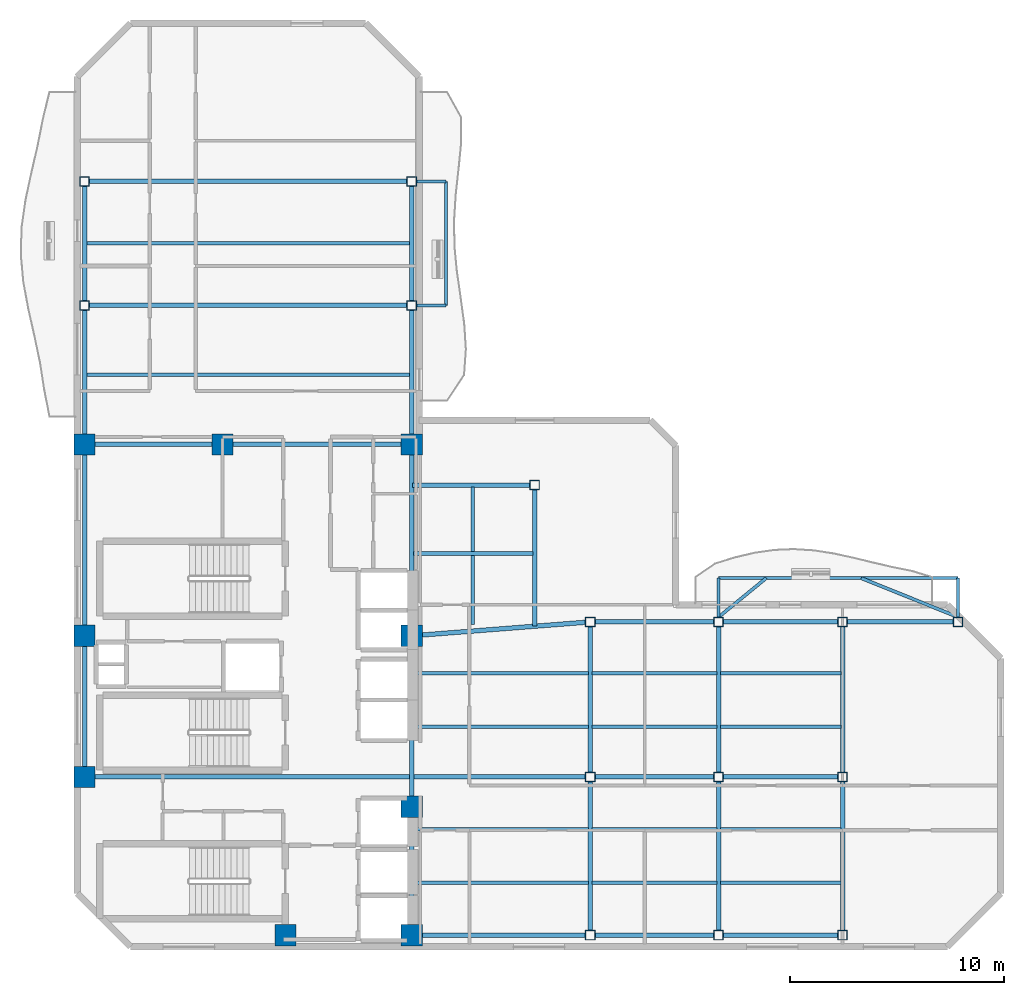
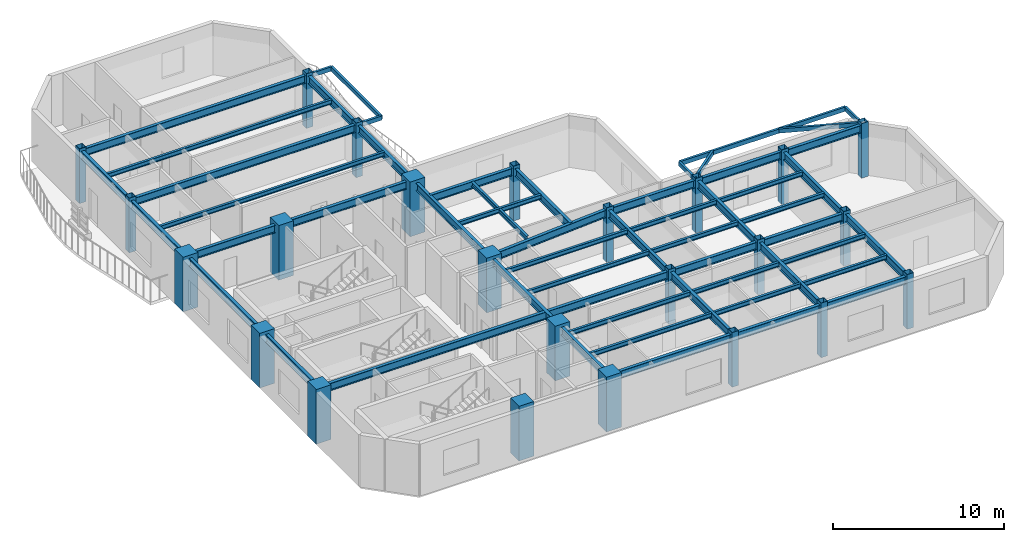
# One storey, part 1 of 9: 55 beams, 24 columns.
"""IFC4 building model written with IfcOpenShell, lengths in metres."""

from ifc_helpers import new_model, si_unit, direction, frame, origin, origin_2d, place, context, subcontext, project, spatial, rectangle, hollow_rectangle, i_section, extrude, material, material_profile, profile_set, type_object, element, save


model = new_model("IFC4")

# Units and contexts
model_context = context("Model", 3, precision=1e-05, world=origin(), true_north=direction((0.0, 1.0)))
body_context = subcontext(model_context, "Body", "Model", "MODEL_VIEW")
ifc_project = project(units=[si_unit("LENGTHUNIT", "METRE"), si_unit("AREAUNIT", "SQUARE_METRE"), si_unit("VOLUMEUNIT", "CUBIC_METRE"), si_unit("PLANEANGLEUNIT", "RADIAN"), si_unit("MASSUNIT", "GRAM", prefix="KILO")], contexts=[model_context])

# Site, building, storey
site_placement = place(None, origin())
site = spatial("IfcSite", under=ifc_project, at=site_placement, CompositionType="ELEMENT")
building_placement = place(site_placement, origin())
building = spatial("IfcBuilding", under=site, at=building_placement, Name="Mawjaban Terraces University", CompositionType="ELEMENT")
storey_placement = place(building_placement, frame((0.0, 0.0, 179.699951171875)))
storey = spatial("IfcBuildingStorey", under=building, at=storey_placement, Name="L43", CompositionType="ELEMENT", Elevation=179.699951171875)

# Columns
ifc_material_1 = material(Name="Concrete C60/75", Category="concrete")
ifc_material_profile_1 = material_profile(ifc_material_1, rectangle(XDim=1.0, YDim=1.0, at=origin_2d()), Name="RC1000X1000")
ifc_profile_set_1 = profile_set([ifc_material_profile_1], Name="Concrete C60/75")
column_type_1 = type_object("IfcColumnType", Name="Col_RC1000X1000", PredefinedType="COLUMN", material=ifc_profile_set_1)
for number, where, z_axis, x_axis, name in (
    (1, (31.75, 0.550048828125, 0.0), (0.0, 0.0, 1.0), (1.0, 0.0, 0.0), "L43 Column CC2"),
    (2, (37.64990234375, 0.550048828125, 0.0), (0.0, 0.0, 1.0), (1.0, 0.0, 0.0), "L43 Column CC3"),
    (3, (22.35009765625, 7.949951171875, 0.0), (0.0, 0.0, 1.0), (1.0, 0.0, 0.0), "L43 Column CC4"),
    (4, (37.64990234375, 6.550048828125, 0.0), (0.0, 0.0, 1.0), (1.0, 0.0, 0.0), "L43 Column CC5"),
    (5, (22.35009765625, 14.550048828125, 0.0), (0.0, 0.0, 1.0), (1.0, 0.0, 0.0), "L43 Column CC6"),
    (6, (37.64990234375, 14.550048828125, 0.0), (0.0, 0.0, 1.0), (1.0, 0.0, 0.0), "L43 Column CC7"),
    (7, (22.35009765625, 23.5, 0.0), (0.0, 0.0, 1.0), (1.0, 0.0, 0.0), "L43 Column CC8"),
    (8, (28.800048828125, 23.5, 0.0), (0.0, 0.0, 1.0), (1.0, 0.0, 0.0), "L43 Column CC9"),
    (9, (37.64990234375, 23.5, 0.0), (0.0, 0.0, 1.0), (1.0, 0.0, 0.0), "L43 Column CC10"),
):
    element("IfcColumn", number, at=place(storey_placement, frame(where, z_axis=z_axis, x_axis=x_axis)), inside=storey, type_object=column_type_1, Name=name, PredefinedType="COLUMN", context=body_context, shape_type="SweptSolid", body=[
        extrude(rectangle(XDim=1.0, YDim=1.0, at=origin_2d()), origin(), (0.0, 0.0, 1.0), 3.900146484375),
    ])
ifc_material_2 = material(Name="Steel EN 10210-1 S355J2H", Category="steel")
ifc_material_profile_2 = material_profile(ifc_material_2, hollow_rectangle(XDim=0.449951171875, YDim=0.449951171875, WallThickness=0.02001953125, at=origin_2d()), Name="SHS450X450X20")
ifc_profile_set_2 = profile_set([ifc_material_profile_2], Name="Steel EN 10210-1 S355J2H")
column_type_2 = type_object("IfcColumnType", Name="Col_SHS450X450X20", PredefinedType="COLUMN", material=ifc_profile_set_2)
for number, where, z_axis, x_axis, name in (
    (10, (46.0, 0.550048828125, 0.0), (0.0, 0.0, 1.0), (1.0, 0.0, 0.0), "L43 Column TE-460-005"),
    (11, (46.0, 7.949951171875, 0.0), (0.0, 0.0, 1.0), (1.0, 0.0, 0.0), "L43 Column TE-460-080"),
    (12, (46.0, 15.199951171875, 0.0), (0.0, 0.0, 1.0), (1.0, 0.0, 0.0), "L43 Column TE-460-152"),
    (13, (52.0, 0.550048828125, 0.0), (0.0, 0.0, 1.0), (1.0, 0.0, 0.0), "L43 Column TE-520-005"),
    (14, (52.0, 7.949951171875, 0.0), (0.0, 0.0, 1.0), (1.0, 0.0, 0.0), "L43 Column TE-520-080"),
    (15, (52.0, 15.199951171875, 0.0), (0.0, 0.0, 1.0), (1.0, 0.0, 0.0), "L43 Column TE-520-152"),
    (16, (57.800048828125, 0.550048828125, 0.0), (0.0, 0.0, 1.0), (1.0, 0.0, 0.0), "L43 Column TE-578-005"),
    (17, (57.800048828125, 7.949951171875, 0.0), (0.0, 0.0, 1.0), (1.0, 0.0, 0.0), "L43 Column TE-578-080"),
    (18, (57.800048828125, 15.199951171875, 0.0), (0.0, 0.0, 1.0), (1.0, 0.0, 0.0), "L43 Column TE-578-152"),
    (19, (63.199951171875, 15.199951171875, 0.0), (0.0, 0.0, 1.0), (1.0, 0.0, 0.0), "L43 Column TE-632-152"),
    (20, (22.35009765625, 30.0, 0.0), (0.0, 0.0, 1.0), (1.0, 0.0, 0.0), "L43 Column TN-223-300"),
    (21, (37.64990234375, 30.0, 0.0), (0.0, 0.0, 1.0), (1.0, 0.0, 0.0), "L43 Column TN-376-300"),
    (22, (22.35009765625, 35.800048828125, 0.0), (0.0, 0.0, 1.0), (1.0, 0.0, 0.0), "L43 Column TN-223-358"),
    (23, (37.64990234375, 35.800048828125, 0.0), (0.0, 0.0, 1.0), (1.0, 0.0, 0.0), "L43 Column TN-376-358"),
    (24, (43.39990234375, 21.60009765625, 0.0), (0.0, 0.0, 1.0), (1.0, 0.0, 0.0), "L43 Column TS-434-216"),
):
    element("IfcColumn", number, at=place(storey_placement, frame(where, z_axis=z_axis, x_axis=x_axis)), inside=storey, type_object=column_type_2, Name=name, PredefinedType="COLUMN", context=body_context, shape_type="SweptSolid", body=[
        extrude(hollow_rectangle(XDim=0.449951171875, YDim=0.449951171875, WallThickness=0.02001953125, at=origin_2d()), origin(), (0.0, 0.0, 1.0), 3.900146484375),
    ])

# Beams
ifc_material_profile_3 = material_profile(ifc_material_2, hollow_rectangle(XDim=0.14990234375, YDim=0.300048828125, WallThickness=0.012451171875, at=origin_2d()), Name="RHS300X150X12.5")
ifc_profile_set_3 = profile_set([ifc_material_profile_3], Name="Steel EN 10210-1 S355J2H")
beam_type_1 = type_object("IfcBeamType", Name="BalconyCantileverSpandrel_RHS", PredefinedType="SPANDREL", material=ifc_profile_set_3)
for number, where, z_axis, x_axis, name in (
    (25, (52.0, 15.425048828125, 3.5400390625), (0.0, 1.0, 0.0), (-1.0, 0.0, 0.0), "L43 Exterior Outrigger BAL-L44-N.1"),
    (26, (63.199951171875, 15.425048828125, 3.5400390625), (0.0, 1.0, 0.0), (-1.0, 0.0, 0.0), "L43 Exterior Outrigger BAL-L44-N.2"),
):
    element("IfcBeam", number, at=place(storey_placement, frame(where, z_axis=z_axis, x_axis=x_axis)), inside=storey, type_object=beam_type_1, Name=name, PredefinedType="SPANDREL", context=body_context, shape_type="SweptSolid", body=[
        extrude(hollow_rectangle(XDim=0.14990234375, YDim=0.300048828125, WallThickness=0.012451171875, at=origin_2d()), origin(), (0.0, 0.0, 1.0), 1.824951171875),
    ])
beam_1_placement = place(storey_placement, frame((52.0, 17.25, 3.5400390625), z_axis=(1.0, 0.0, 0.0), x_axis=(0.0, 1.0, 0.0)))
element("IfcBeam", 27, at=beam_1_placement, inside=storey, type_object=beam_type_1, Name="L43 Exterior Edge Spandrel BAL-L44-N", PredefinedType="SPANDREL", context=body_context, shape_type="SweptSolid", body=[
    extrude(hollow_rectangle(XDim=0.14990234375, YDim=0.300048828125, WallThickness=0.012451171875, at=origin_2d()), origin(), (0.0, 0.0, 1.0), 11.199951171875),
])
beam_2_placement = place(storey_placement, frame((52.0, 15.425048828125, 3.5400390625), z_axis=(0.773885570903, 0.633325448051, 0.0), x_axis=(-0.633325448051, 0.773885570903, 0.0)))
element("IfcBeam", 28, at=beam_2_placement, inside=storey, type_object=beam_type_1, Name="L43 Exterior Diagonal Strut BAL-L44-N.1", PredefinedType="SPANDREL", context=body_context, shape_type="SweptSolid", body=[
    extrude(hollow_rectangle(XDim=0.14990234375, YDim=0.300048828125, WallThickness=0.012451171875, at=origin_2d()), origin(), (0.0, 0.0, 1.0), 2.881591796875),
])
beam_3_placement = place(storey_placement, frame((63.199951171875, 15.425048828125, 3.5400390625), z_axis=(-0.927560275354, 0.373673568217, 0.0), x_axis=(-0.373673568217, -0.927560275354, 0.0)))
element("IfcBeam", 29, at=beam_3_placement, inside=storey, type_object=beam_type_1, Name="L43 Exterior Diagonal Strut BAL-L44-N.2", PredefinedType="SPANDREL", context=body_context, shape_type="SweptSolid", body=[
    extrude(hollow_rectangle(XDim=0.14990234375, YDim=0.300048828125, WallThickness=0.012451171875, at=origin_2d()), origin(), (0.0, 0.0, 1.0), 4.8837890625),
])
for number, where, z_axis, x_axis, name in (
    (30, (37.875, 30.0, 3.5400390625), (1.0, 0.0, 0.0), (0.0, 1.0, 0.0), "L43 Exterior Outrigger BAL-L44-E.1"),
    (31, (37.875, 35.800048828125, 3.5400390625), (1.0, 0.0, 0.0), (0.0, 1.0, 0.0), "L43 Exterior Outrigger BAL-L44-E.2"),
):
    element("IfcBeam", number, at=place(storey_placement, frame(where, z_axis=z_axis, x_axis=x_axis)), inside=storey, type_object=beam_type_1, Name=name, PredefinedType="SPANDREL", context=body_context, shape_type="SweptSolid", body=[
        extrude(hollow_rectangle(XDim=0.14990234375, YDim=0.300048828125, WallThickness=0.012451171875, at=origin_2d()), origin(), (0.0, 0.0, 1.0), 1.375),
    ])
beam_4_placement = place(storey_placement, frame((39.25, 30.0, 3.5400390625), z_axis=(0.0, 1.0, 0.0), x_axis=(-1.0, 0.0, 0.0)))
element("IfcBeam", 32, at=beam_4_placement, inside=storey, type_object=beam_type_1, Name="L43 Exterior Edge Spandrel BAL-L44-E", PredefinedType="SPANDREL", context=body_context, shape_type="SweptSolid", body=[
    extrude(hollow_rectangle(XDim=0.14990234375, YDim=0.300048828125, WallThickness=0.012451171875, at=origin_2d()), origin(), (0.0, 0.0, 1.0), 5.800048828125),
])
ifc_material_3 = material(Name="Steel ASTM A572 Grade 50", Category="steel")
ifc_material_profile_4 = material_profile(ifc_material_3, i_section(OverallWidth=0.2119140625, OverallDepth=0.5439453125, WebThickness=0.01318359375, FlangeThickness=0.021240234375, at=origin_2d()), Name="W530X123")
ifc_profile_set_4 = profile_set([ifc_material_profile_4], Name="Steel ASTM A572 Grade 50")
beam_type_2 = type_object("IfcBeamType", Name="Beam_B_W530X123", PredefinedType="BEAM", material=ifc_profile_set_4)
beam_5_placement = place(storey_placement, frame((38.14990234375, 0.550048828125, 3.41796875), z_axis=(1.0, 0.0, 0.0), x_axis=(0.0, 1.0, 0.0)))
element("IfcBeam", 33, at=beam_5_placement, inside=storey, type_object=beam_type_2, Name="L43 Beam BM-L43-EW-01", PredefinedType="BEAM", context=body_context, shape_type="SweptSolid", body=[
    extrude(i_section(OverallWidth=0.2119140625, OverallDepth=0.5439453125, WebThickness=0.01318359375, FlangeThickness=0.021240234375, at=origin_2d()), origin(), (0.0, 0.0, 1.0), 7.625),
])
beam_6_placement = place(storey_placement, frame((46.22509765625, 0.550048828125, 3.41796875), z_axis=(1.0, 0.0, 0.0), x_axis=(0.0, 1.0, 0.0)))
element("IfcBeam", 34, at=beam_6_placement, inside=storey, type_object=beam_type_2, Name="L43 Beam BM-L43-EW-02", PredefinedType="BEAM", context=body_context, shape_type="SweptSolid", body=[
    extrude(i_section(OverallWidth=0.2119140625, OverallDepth=0.5439453125, WebThickness=0.01318359375, FlangeThickness=0.021240234375, at=origin_2d()), origin(), (0.0, 0.0, 1.0), 5.5498046875),
])
beam_7_placement = place(storey_placement, frame((52.22509765625, 0.550048828125, 3.41796875), z_axis=(1.0, 0.0, 0.0), x_axis=(0.0, 1.0, 0.0)))
element("IfcBeam", 35, at=beam_7_placement, inside=storey, type_object=beam_type_2, Name="L43 Beam BM-L43-EW-03", PredefinedType="BEAM", context=body_context, shape_type="SweptSolid", body=[
    extrude(i_section(OverallWidth=0.2119140625, OverallDepth=0.5439453125, WebThickness=0.01318359375, FlangeThickness=0.021240234375, at=origin_2d()), origin(), (0.0, 0.0, 1.0), 5.349853515625),
])
beam_8_placement = place(storey_placement, frame((22.85009765625, 7.949951171875, 3.41796875), z_axis=(1.0, 0.0, 0.0), x_axis=(0.0, 1.0, 0.0)))
element("IfcBeam", 36, at=beam_8_placement, inside=storey, type_object=beam_type_2, Name="L43 Beam BM-L43-EW-04", PredefinedType="BEAM", context=body_context, shape_type="SweptSolid", body=[
    extrude(i_section(OverallWidth=0.2119140625, OverallDepth=0.5439453125, WebThickness=0.01318359375, FlangeThickness=0.021240234375, at=origin_2d()), origin(), (0.0, 0.0, 1.0), 22.9248046875),
])
beam_9_placement = place(storey_placement, frame((46.22509765625, 7.949951171875, 3.41796875), z_axis=(1.0, 0.0, 0.0), x_axis=(0.0, 1.0, 0.0)))
element("IfcBeam", 37, at=beam_9_placement, inside=storey, type_object=beam_type_2, Name="L43 Beam BM-L43-EW-05", PredefinedType="BEAM", context=body_context, shape_type="SweptSolid", body=[
    extrude(i_section(OverallWidth=0.2119140625, OverallDepth=0.5439453125, WebThickness=0.01318359375, FlangeThickness=0.021240234375, at=origin_2d()), origin(), (0.0, 0.0, 1.0), 5.5498046875),
])
beam_10_placement = place(storey_placement, frame((52.22509765625, 7.949951171875, 3.41796875), z_axis=(1.0, 0.0, 0.0), x_axis=(0.0, 1.0, 0.0)))
element("IfcBeam", 38, at=beam_10_placement, inside=storey, type_object=beam_type_2, Name="L43 Beam BM-L43-EW-06", PredefinedType="BEAM", context=body_context, shape_type="SweptSolid", body=[
    extrude(i_section(OverallWidth=0.2119140625, OverallDepth=0.5439453125, WebThickness=0.01318359375, FlangeThickness=0.021240234375, at=origin_2d()), origin(), (0.0, 0.0, 1.0), 5.349853515625),
])
beam_11_placement = place(storey_placement, frame((46.22509765625, 15.199951171875, 3.41796875), z_axis=(1.0, 0.0, 0.0), x_axis=(0.0, 1.0, 0.0)))
element("IfcBeam", 39, at=beam_11_placement, inside=storey, type_object=beam_type_2, Name="L43 Beam BM-L43-EW-07", PredefinedType="BEAM", context=body_context, shape_type="SweptSolid", body=[
    extrude(i_section(OverallWidth=0.2119140625, OverallDepth=0.5439453125, WebThickness=0.01318359375, FlangeThickness=0.021240234375, at=origin_2d()), origin(), (0.0, 0.0, 1.0), 5.5498046875),
])
beam_12_placement = place(storey_placement, frame((52.22509765625, 15.199951171875, 3.41796875), z_axis=(1.0, 0.0, 0.0), x_axis=(0.0, 1.0, 0.0)))
element("IfcBeam", 40, at=beam_12_placement, inside=storey, type_object=beam_type_2, Name="L43 Beam BM-L43-EW-08", PredefinedType="BEAM", context=body_context, shape_type="SweptSolid", body=[
    extrude(i_section(OverallWidth=0.2119140625, OverallDepth=0.5439453125, WebThickness=0.01318359375, FlangeThickness=0.021240234375, at=origin_2d()), origin(), (0.0, 0.0, 1.0), 5.349853515625),
])
beam_13_placement = place(storey_placement, frame((58.02490234375, 15.199951171875, 3.41796875), z_axis=(1.0, 0.0, 0.0), x_axis=(0.0, 1.0, 0.0)))
element("IfcBeam", 41, at=beam_13_placement, inside=storey, type_object=beam_type_2, Name="L43 Beam BM-L43-EW-09", PredefinedType="BEAM", context=body_context, shape_type="SweptSolid", body=[
    extrude(i_section(OverallWidth=0.2119140625, OverallDepth=0.5439453125, WebThickness=0.01318359375, FlangeThickness=0.021240234375, at=origin_2d()), origin(), (0.0, 0.0, 1.0), 4.9501953125),
])
beam_14_placement = place(storey_placement, frame((22.85009765625, 23.5, 3.41796875), z_axis=(1.0, 0.0, 0.0), x_axis=(0.0, 1.0, 0.0)))
element("IfcBeam", 42, at=beam_14_placement, inside=storey, type_object=beam_type_2, Name="L43 Beam BM-L43-EW-10", PredefinedType="BEAM", context=body_context, shape_type="SweptSolid", body=[
    extrude(i_section(OverallWidth=0.2119140625, OverallDepth=0.5439453125, WebThickness=0.01318359375, FlangeThickness=0.021240234375, at=origin_2d()), origin(), (0.0, 0.0, 1.0), 5.449951171875),
])
beam_15_placement = place(storey_placement, frame((29.300048828125, 23.5, 3.41796875), z_axis=(1.0, 0.0, 0.0), x_axis=(0.0, 1.0, 0.0)))
element("IfcBeam", 43, at=beam_15_placement, inside=storey, type_object=beam_type_2, Name="L43 Beam BM-L43-EW-11", PredefinedType="BEAM", context=body_context, shape_type="SweptSolid", body=[
    extrude(i_section(OverallWidth=0.2119140625, OverallDepth=0.5439453125, WebThickness=0.01318359375, FlangeThickness=0.021240234375, at=origin_2d()), origin(), (0.0, 0.0, 1.0), 7.849853515625),
])
for number, where, z_axis, x_axis, name in (
    (44, (22.574951171875, 30.0, 3.41796875), (1.0, 0.0, 0.0), (0.0, 1.0, 0.0), "L43 Beam BM-L43-EW-12"),
    (45, (22.574951171875, 35.800048828125, 3.41796875), (1.0, 0.0, 0.0), (0.0, 1.0, 0.0), "L43 Beam BM-L43-EW-13"),
):
    element("IfcBeam", number, at=place(storey_placement, frame(where, z_axis=z_axis, x_axis=x_axis)), inside=storey, type_object=beam_type_2, Name=name, PredefinedType="BEAM", context=body_context, shape_type="SweptSolid", body=[
        extrude(i_section(OverallWidth=0.2119140625, OverallDepth=0.5439453125, WebThickness=0.01318359375, FlangeThickness=0.021240234375, at=origin_2d()), origin(), (0.0, 0.0, 1.0), 14.85009765625),
    ])
beam_16_placement = place(storey_placement, frame((22.35009765625, 8.449951171875, 3.41796875), z_axis=(0.0, 1.0, 0.0), x_axis=(-1.0, 0.0, 0.0)))
element("IfcBeam", 46, at=beam_16_placement, inside=storey, type_object=beam_type_2, Name="L43 Beam BM-L43-NS-01", PredefinedType="BEAM", context=body_context, shape_type="SweptSolid", body=[
    extrude(i_section(OverallWidth=0.2119140625, OverallDepth=0.5439453125, WebThickness=0.01318359375, FlangeThickness=0.021240234375, at=origin_2d()), origin(), (0.0, 0.0, 1.0), 5.60009765625),
])
beam_17_placement = place(storey_placement, frame((22.35009765625, 15.050048828125, 3.41796875), z_axis=(0.0, 1.0, 0.0), x_axis=(-1.0, 0.0, 0.0)))
element("IfcBeam", 47, at=beam_17_placement, inside=storey, type_object=beam_type_2, Name="L43 Beam BM-L43-NS-02", PredefinedType="BEAM", context=body_context, shape_type="SweptSolid", body=[
    extrude(i_section(OverallWidth=0.2119140625, OverallDepth=0.5439453125, WebThickness=0.01318359375, FlangeThickness=0.021240234375, at=origin_2d()), origin(), (0.0, 0.0, 1.0), 7.949951171875),
])
beam_18_placement = place(storey_placement, frame((22.35009765625, 24.0, 3.41796875), z_axis=(0.0, 1.0, 0.0), x_axis=(-1.0, 0.0, 0.0)))
element("IfcBeam", 48, at=beam_18_placement, inside=storey, type_object=beam_type_2, Name="L43 Beam BM-L43-NS-03", PredefinedType="BEAM", context=body_context, shape_type="SweptSolid", body=[
    extrude(i_section(OverallWidth=0.2119140625, OverallDepth=0.5439453125, WebThickness=0.01318359375, FlangeThickness=0.021240234375, at=origin_2d()), origin(), (0.0, 0.0, 1.0), 5.77490234375),
])
beam_19_placement = place(storey_placement, frame((22.35009765625, 30.22509765625, 3.41796875), z_axis=(0.0, 1.0, 0.0), x_axis=(-1.0, 0.0, 0.0)))
element("IfcBeam", 49, at=beam_19_placement, inside=storey, type_object=beam_type_2, Name="L43 Beam BM-L43-NS-04", PredefinedType="BEAM", context=body_context, shape_type="SweptSolid", body=[
    extrude(i_section(OverallWidth=0.2119140625, OverallDepth=0.5439453125, WebThickness=0.01318359375, FlangeThickness=0.021240234375, at=origin_2d()), origin(), (0.0, 0.0, 1.0), 5.349853515625),
])
beam_20_placement = place(storey_placement, frame((37.64990234375, 1.050048828125, 3.41796875), z_axis=(0.0, 1.0, 0.0), x_axis=(-1.0, 0.0, 0.0)))
element("IfcBeam", 50, at=beam_20_placement, inside=storey, type_object=beam_type_2, Name="L43 Beam BM-L43-NS-05", PredefinedType="BEAM", context=body_context, shape_type="SweptSolid", body=[
    extrude(i_section(OverallWidth=0.2119140625, OverallDepth=0.5439453125, WebThickness=0.01318359375, FlangeThickness=0.021240234375, at=origin_2d()), origin(), (0.0, 0.0, 1.0), 5.0),
])
beam_21_placement = place(storey_placement, frame((37.64990234375, 7.050048828125, 3.41796875), z_axis=(0.0, 1.0, 0.0), x_axis=(-1.0, 0.0, 0.0)))
element("IfcBeam", 51, at=beam_21_placement, inside=storey, type_object=beam_type_2, Name="L43 Beam BM-L43-NS-06", PredefinedType="BEAM", context=body_context, shape_type="SweptSolid", body=[
    extrude(i_section(OverallWidth=0.2119140625, OverallDepth=0.5439453125, WebThickness=0.01318359375, FlangeThickness=0.021240234375, at=origin_2d()), origin(), (0.0, 0.0, 1.0), 7.0),
])
beam_22_placement = place(storey_placement, frame((37.64990234375, 15.050048828125, 3.41796875), z_axis=(0.0, 1.0, 0.0), x_axis=(-1.0, 0.0, 0.0)))
element("IfcBeam", 52, at=beam_22_placement, inside=storey, type_object=beam_type_2, Name="L43 Beam BM-L43-NS-07", PredefinedType="BEAM", context=body_context, shape_type="SweptSolid", body=[
    extrude(i_section(OverallWidth=0.2119140625, OverallDepth=0.5439453125, WebThickness=0.01318359375, FlangeThickness=0.021240234375, at=origin_2d()), origin(), (0.0, 0.0, 1.0), 7.949951171875),
])
beam_23_placement = place(storey_placement, frame((37.64990234375, 24.0, 3.41796875), z_axis=(0.0, 1.0, 0.0), x_axis=(-1.0, 0.0, 0.0)))
element("IfcBeam", 53, at=beam_23_placement, inside=storey, type_object=beam_type_2, Name="L43 Beam BM-L43-NS-08", PredefinedType="BEAM", context=body_context, shape_type="SweptSolid", body=[
    extrude(i_section(OverallWidth=0.2119140625, OverallDepth=0.5439453125, WebThickness=0.01318359375, FlangeThickness=0.021240234375, at=origin_2d()), origin(), (0.0, 0.0, 1.0), 5.77490234375),
])
beam_24_placement = place(storey_placement, frame((37.64990234375, 30.22509765625, 3.41796875), z_axis=(0.0, 1.0, 0.0), x_axis=(-1.0, 0.0, 0.0)))
element("IfcBeam", 54, at=beam_24_placement, inside=storey, type_object=beam_type_2, Name="L43 Beam BM-L43-NS-09", PredefinedType="BEAM", context=body_context, shape_type="SweptSolid", body=[
    extrude(i_section(OverallWidth=0.2119140625, OverallDepth=0.5439453125, WebThickness=0.01318359375, FlangeThickness=0.021240234375, at=origin_2d()), origin(), (0.0, 0.0, 1.0), 5.349853515625),
])
beam_25_placement = place(storey_placement, frame((46.0, 0.77490234375, 3.41796875), z_axis=(0.0, 1.0, 0.0), x_axis=(-1.0, 0.0, 0.0)))
element("IfcBeam", 55, at=beam_25_placement, inside=storey, type_object=beam_type_2, Name="L43 Beam BM-L43-NS-10", PredefinedType="BEAM", context=body_context, shape_type="SweptSolid", body=[
    extrude(i_section(OverallWidth=0.2119140625, OverallDepth=0.5439453125, WebThickness=0.01318359375, FlangeThickness=0.021240234375, at=origin_2d()), origin(), (0.0, 0.0, 1.0), 6.9501953125),
])
beam_26_placement = place(storey_placement, frame((46.0, 8.175048828125, 3.41796875), z_axis=(0.0, 1.0, 0.0), x_axis=(-1.0, 0.0, 0.0)))
element("IfcBeam", 56, at=beam_26_placement, inside=storey, type_object=beam_type_2, Name="L43 Beam BM-L43-NS-11", PredefinedType="BEAM", context=body_context, shape_type="SweptSolid", body=[
    extrude(i_section(OverallWidth=0.2119140625, OverallDepth=0.5439453125, WebThickness=0.01318359375, FlangeThickness=0.021240234375, at=origin_2d()), origin(), (0.0, 0.0, 1.0), 6.800048828125),
])
beam_27_placement = place(storey_placement, frame((52.0, 0.77490234375, 3.41796875), z_axis=(0.0, 1.0, 0.0), x_axis=(-1.0, 0.0, 0.0)))
element("IfcBeam", 57, at=beam_27_placement, inside=storey, type_object=beam_type_2, Name="L43 Beam BM-L43-NS-12", PredefinedType="BEAM", context=body_context, shape_type="SweptSolid", body=[
    extrude(i_section(OverallWidth=0.2119140625, OverallDepth=0.5439453125, WebThickness=0.01318359375, FlangeThickness=0.021240234375, at=origin_2d()), origin(), (0.0, 0.0, 1.0), 6.9501953125),
])
beam_28_placement = place(storey_placement, frame((52.0, 8.175048828125, 3.41796875), z_axis=(0.0, 1.0, 0.0), x_axis=(-1.0, 0.0, 0.0)))
element("IfcBeam", 58, at=beam_28_placement, inside=storey, type_object=beam_type_2, Name="L43 Beam BM-L43-NS-13", PredefinedType="BEAM", context=body_context, shape_type="SweptSolid", body=[
    extrude(i_section(OverallWidth=0.2119140625, OverallDepth=0.5439453125, WebThickness=0.01318359375, FlangeThickness=0.021240234375, at=origin_2d()), origin(), (0.0, 0.0, 1.0), 6.800048828125),
])
beam_29_placement = place(storey_placement, frame((57.800048828125, 0.77490234375, 3.41796875), z_axis=(0.0, 1.0, 0.0), x_axis=(-1.0, 0.0, 0.0)))
element("IfcBeam", 59, at=beam_29_placement, inside=storey, type_object=beam_type_2, Name="L43 Beam BM-L43-NS-14", PredefinedType="BEAM", context=body_context, shape_type="SweptSolid", body=[
    extrude(i_section(OverallWidth=0.2119140625, OverallDepth=0.5439453125, WebThickness=0.01318359375, FlangeThickness=0.021240234375, at=origin_2d()), origin(), (0.0, 0.0, 1.0), 6.9501953125),
])
beam_30_placement = place(storey_placement, frame((57.800048828125, 8.175048828125, 3.41796875), z_axis=(0.0, 1.0, 0.0), x_axis=(-1.0, 0.0, 0.0)))
element("IfcBeam", 60, at=beam_30_placement, inside=storey, type_object=beam_type_2, Name="L43 Beam BM-L43-NS-15", PredefinedType="BEAM", context=body_context, shape_type="SweptSolid", body=[
    extrude(i_section(OverallWidth=0.2119140625, OverallDepth=0.5439453125, WebThickness=0.01318359375, FlangeThickness=0.021240234375, at=origin_2d()), origin(), (0.0, 0.0, 1.0), 6.800048828125),
])
beam_31_placement = place(storey_placement, frame((38.14794921875, 14.589111328125, 3.41796875), z_axis=(0.99698177718, 0.077635919341, 0.0), x_axis=(-0.077635919341, 0.99698177718, 0.0)))
element("IfcBeam", 61, at=beam_31_placement, inside=storey, type_object=beam_type_2, Name="L43 Beam BM-L43-CTIE", PredefinedType="BEAM", context=body_context, shape_type="SweptSolid", body=[
    extrude(i_section(OverallWidth=0.2119140625, OverallDepth=0.5439453125, WebThickness=0.01318359375, FlangeThickness=0.021240234375, at=origin_2d()), origin(), (0.0, 0.0, 1.0), 7.651123046875),
])
beam_32_placement = place(storey_placement, frame((37.679931640625, 21.60009765625, 3.41796875), z_axis=(1.0, 0.0, 0.0), x_axis=(0.0, 1.0, 0.0)))
element("IfcBeam", 62, at=beam_32_placement, inside=storey, type_object=beam_type_2, Name="L43 Spur Tie Girder West", PredefinedType="BEAM", context=body_context, shape_type="SweptSolid", body=[
    extrude(i_section(OverallWidth=0.2119140625, OverallDepth=0.5439453125, WebThickness=0.01318359375, FlangeThickness=0.021240234375, at=origin_2d()), origin(), (0.0, 0.0, 1.0), 5.4951171875),
])
beam_33_placement = place(storey_placement, frame((43.39990234375, 15.0, 3.41796875), z_axis=(0.0, 1.0, 0.0), x_axis=(-1.0, 0.0, 0.0)))
element("IfcBeam", 63, at=beam_33_placement, inside=storey, type_object=beam_type_2, Name="L43 Spur Tie Girder South", PredefinedType="BEAM", context=body_context, shape_type="SweptSolid", body=[
    extrude(i_section(OverallWidth=0.2119140625, OverallDepth=0.5439453125, WebThickness=0.01318359375, FlangeThickness=0.021240234375, at=origin_2d()), origin(), (0.0, 0.0, 1.0), 6.375),
])
ifc_material_profile_5 = material_profile(ifc_material_3, i_section(OverallWidth=0.1669921875, OverallDepth=0.318115234375, WebThickness=0.007568359375, FlangeThickness=0.01318359375, at=origin_2d()), Name="W310X52")
ifc_profile_set_5 = profile_set([ifc_material_profile_5], Name="Steel ASTM A572 Grade 50")
beam_type_3 = type_object("IfcBeamType", Name="Beam_J_W310X52", PredefinedType="JOIST", material=ifc_profile_set_5)
beam_34_placement = place(storey_placement, frame((37.72998046875, 3.0, 3.531005859375), z_axis=(1.0, 0.0, 0.0), x_axis=(0.0, 1.0, 0.0)))
element("IfcBeam", 64, at=beam_34_placement, inside=storey, type_object=beam_type_3, Name="L43 Composite Joist JST-L43-01", PredefinedType="JOIST", context=body_context, shape_type="SweptSolid", body=[
    extrude(i_section(OverallWidth=0.1669921875, OverallDepth=0.318115234375, WebThickness=0.007568359375, FlangeThickness=0.01318359375, at=origin_2d()), origin(), (0.0, 0.0, 1.0), 8.18994140625),
])
beam_35_placement = place(storey_placement, frame((46.080078125, 3.0, 3.531005859375), z_axis=(1.0, 0.0, 0.0), x_axis=(0.0, 1.0, 0.0)))
element("IfcBeam", 65, at=beam_35_placement, inside=storey, type_object=beam_type_3, Name="L43 Composite Joist JST-L43-02", PredefinedType="JOIST", context=body_context, shape_type="SweptSolid", body=[
    extrude(i_section(OverallWidth=0.1669921875, OverallDepth=0.318115234375, WebThickness=0.007568359375, FlangeThickness=0.01318359375, at=origin_2d()), origin(), (0.0, 0.0, 1.0), 5.83984375),
])
beam_36_placement = place(storey_placement, frame((52.080078125, 3.0, 3.531005859375), z_axis=(1.0, 0.0, 0.0), x_axis=(0.0, 1.0, 0.0)))
element("IfcBeam", 66, at=beam_36_placement, inside=storey, type_object=beam_type_3, Name="L43 Composite Joist JST-L43-03", PredefinedType="JOIST", context=body_context, shape_type="SweptSolid", body=[
    extrude(i_section(OverallWidth=0.1669921875, OverallDepth=0.318115234375, WebThickness=0.007568359375, FlangeThickness=0.01318359375, at=origin_2d()), origin(), (0.0, 0.0, 1.0), 5.639892578125),
])
beam_37_placement = place(storey_placement, frame((37.72998046875, 5.5, 3.531005859375), z_axis=(1.0, 0.0, 0.0), x_axis=(0.0, 1.0, 0.0)))
element("IfcBeam", 67, at=beam_37_placement, inside=storey, type_object=beam_type_3, Name="L43 Composite Joist JST-L43-04", PredefinedType="JOIST", context=body_context, shape_type="SweptSolid", body=[
    extrude(i_section(OverallWidth=0.1669921875, OverallDepth=0.318115234375, WebThickness=0.007568359375, FlangeThickness=0.01318359375, at=origin_2d()), origin(), (0.0, 0.0, 1.0), 8.18994140625),
])
beam_38_placement = place(storey_placement, frame((46.080078125, 5.5, 3.531005859375), z_axis=(1.0, 0.0, 0.0), x_axis=(0.0, 1.0, 0.0)))
element("IfcBeam", 68, at=beam_38_placement, inside=storey, type_object=beam_type_3, Name="L43 Composite Joist JST-L43-05", PredefinedType="JOIST", context=body_context, shape_type="SweptSolid", body=[
    extrude(i_section(OverallWidth=0.1669921875, OverallDepth=0.318115234375, WebThickness=0.007568359375, FlangeThickness=0.01318359375, at=origin_2d()), origin(), (0.0, 0.0, 1.0), 5.83984375),
])
beam_39_placement = place(storey_placement, frame((52.080078125, 5.5, 3.531005859375), z_axis=(1.0, 0.0, 0.0), x_axis=(0.0, 1.0, 0.0)))
element("IfcBeam", 69, at=beam_39_placement, inside=storey, type_object=beam_type_3, Name="L43 Composite Joist JST-L43-06", PredefinedType="JOIST", context=body_context, shape_type="SweptSolid", body=[
    extrude(i_section(OverallWidth=0.1669921875, OverallDepth=0.318115234375, WebThickness=0.007568359375, FlangeThickness=0.01318359375, at=origin_2d()), origin(), (0.0, 0.0, 1.0), 5.639892578125),
])
beam_40_placement = place(storey_placement, frame((37.72998046875, 10.300048828125, 3.531005859375), z_axis=(1.0, 0.0, 0.0), x_axis=(0.0, 1.0, 0.0)))
element("IfcBeam", 70, at=beam_40_placement, inside=storey, type_object=beam_type_3, Name="L43 Composite Joist JST-L43-07", PredefinedType="JOIST", context=body_context, shape_type="SweptSolid", body=[
    extrude(i_section(OverallWidth=0.1669921875, OverallDepth=0.318115234375, WebThickness=0.007568359375, FlangeThickness=0.01318359375, at=origin_2d()), origin(), (0.0, 0.0, 1.0), 8.18994140625),
])
beam_41_placement = place(storey_placement, frame((46.080078125, 10.300048828125, 3.531005859375), z_axis=(1.0, 0.0, 0.0), x_axis=(0.0, 1.0, 0.0)))
element("IfcBeam", 71, at=beam_41_placement, inside=storey, type_object=beam_type_3, Name="L43 Composite Joist JST-L43-08", PredefinedType="JOIST", context=body_context, shape_type="SweptSolid", body=[
    extrude(i_section(OverallWidth=0.1669921875, OverallDepth=0.318115234375, WebThickness=0.007568359375, FlangeThickness=0.01318359375, at=origin_2d()), origin(), (0.0, 0.0, 1.0), 5.83984375),
])
beam_42_placement = place(storey_placement, frame((52.080078125, 10.300048828125, 3.531005859375), z_axis=(1.0, 0.0, 0.0), x_axis=(0.0, 1.0, 0.0)))
element("IfcBeam", 72, at=beam_42_placement, inside=storey, type_object=beam_type_3, Name="L43 Composite Joist JST-L43-09", PredefinedType="JOIST", context=body_context, shape_type="SweptSolid", body=[
    extrude(i_section(OverallWidth=0.1669921875, OverallDepth=0.318115234375, WebThickness=0.007568359375, FlangeThickness=0.01318359375, at=origin_2d()), origin(), (0.0, 0.0, 1.0), 5.639892578125),
])
beam_43_placement = place(storey_placement, frame((37.72998046875, 12.800048828125, 3.531005859375), z_axis=(1.0, 0.0, 0.0), x_axis=(0.0, 1.0, 0.0)))
element("IfcBeam", 73, at=beam_43_placement, inside=storey, type_object=beam_type_3, Name="L43 Composite Joist JST-L43-10", PredefinedType="JOIST", context=body_context, shape_type="SweptSolid", body=[
    extrude(i_section(OverallWidth=0.1669921875, OverallDepth=0.318115234375, WebThickness=0.007568359375, FlangeThickness=0.01318359375, at=origin_2d()), origin(), (0.0, 0.0, 1.0), 8.18994140625),
])
beam_44_placement = place(storey_placement, frame((46.080078125, 12.800048828125, 3.531005859375), z_axis=(1.0, 0.0, 0.0), x_axis=(0.0, 1.0, 0.0)))
element("IfcBeam", 74, at=beam_44_placement, inside=storey, type_object=beam_type_3, Name="L43 Composite Joist JST-L43-11", PredefinedType="JOIST", context=body_context, shape_type="SweptSolid", body=[
    extrude(i_section(OverallWidth=0.1669921875, OverallDepth=0.318115234375, WebThickness=0.007568359375, FlangeThickness=0.01318359375, at=origin_2d()), origin(), (0.0, 0.0, 1.0), 5.83984375),
])
beam_45_placement = place(storey_placement, frame((52.080078125, 12.800048828125, 3.531005859375), z_axis=(1.0, 0.0, 0.0), x_axis=(0.0, 1.0, 0.0)))
element("IfcBeam", 75, at=beam_45_placement, inside=storey, type_object=beam_type_3, Name="L43 Composite Joist JST-L43-12", PredefinedType="JOIST", context=body_context, shape_type="SweptSolid", body=[
    extrude(i_section(OverallWidth=0.1669921875, OverallDepth=0.318115234375, WebThickness=0.007568359375, FlangeThickness=0.01318359375, at=origin_2d()), origin(), (0.0, 0.0, 1.0), 5.639892578125),
])
beam_46_placement = place(storey_placement, frame((37.72998046875, 18.39990234375, 3.531005859375), z_axis=(1.0, 0.0, 0.0), x_axis=(0.0, 1.0, 0.0)))
element("IfcBeam", 76, at=beam_46_placement, inside=storey, type_object=beam_type_3, Name="L43 Composite Joist JST-L43-13", PredefinedType="JOIST", context=body_context, shape_type="SweptSolid", body=[
    extrude(i_section(OverallWidth=0.1669921875, OverallDepth=0.318115234375, WebThickness=0.007568359375, FlangeThickness=0.01318359375, at=origin_2d()), origin(), (0.0, 0.0, 1.0), 5.590087890625),
])
for number, where, z_axis, x_axis, name in (
    (77, (22.429931640625, 26.75, 3.531005859375), (1.0, 0.0, 0.0), (0.0, 1.0, 0.0), "L43 Composite Joist JST-L43-14"),
    (78, (22.429931640625, 32.89990234375, 3.531005859375), (1.0, 0.0, 0.0), (0.0, 1.0, 0.0), "L43 Composite Joist JST-L43-15"),
):
    element("IfcBeam", number, at=place(storey_placement, frame(where, z_axis=z_axis, x_axis=x_axis)), inside=storey, type_object=beam_type_3, Name=name, PredefinedType="JOIST", context=body_context, shape_type="SweptSolid", body=[
        extrude(i_section(OverallWidth=0.1669921875, OverallDepth=0.318115234375, WebThickness=0.007568359375, FlangeThickness=0.01318359375, at=origin_2d()), origin(), (0.0, 0.0, 1.0), 15.14013671875),
    ])
beam_47_placement = place(storey_placement, frame((40.5, 15.080078125, 3.531005859375), z_axis=(0.0, 1.0, 0.0), x_axis=(-1.0, 0.0, 0.0)))
element("IfcBeam", 79, at=beam_47_placement, inside=storey, type_object=beam_type_3, Name="L43 Composite Joist JST-L43-NS-16", PredefinedType="JOIST", context=body_context, shape_type="SweptSolid", body=[
    extrude(i_section(OverallWidth=0.1669921875, OverallDepth=0.318115234375, WebThickness=0.007568359375, FlangeThickness=0.01318359375, at=origin_2d()), origin(), (0.0, 0.0, 1.0), 6.43994140625),
])

save(model, "model.ifc")
